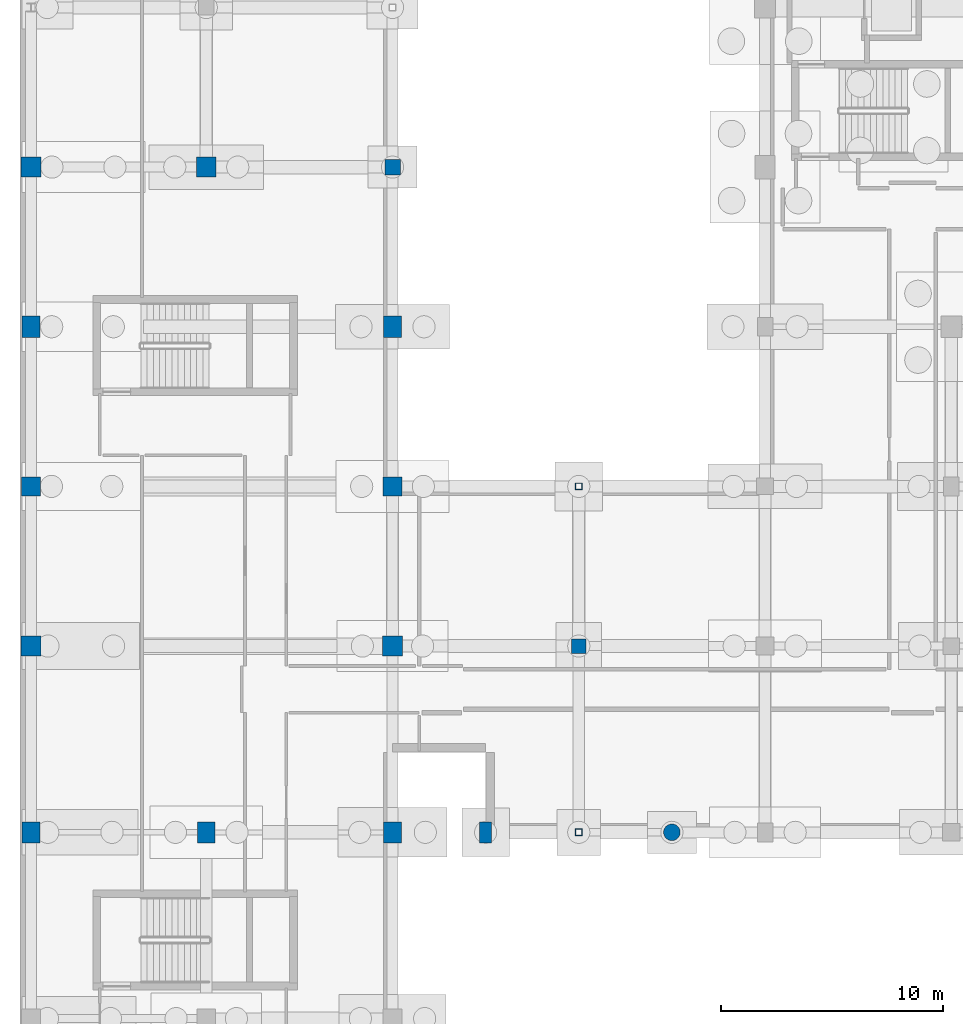
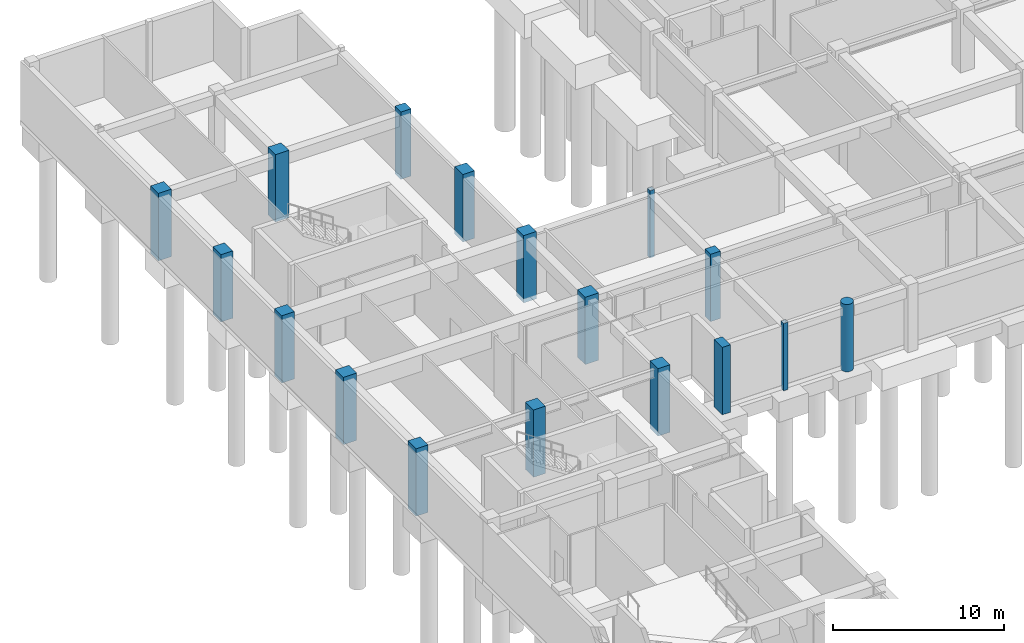
# One storey, part 12 of 42: 17 columns.
"""IFC4 building model written with IfcOpenShell, lengths in metres."""

from ifc_helpers import new_model, si_unit, direction, frame, origin, origin_2d, place, context, subcontext, project, spatial, rectangle, hollow_rectangle, circle, extrude, material, material_profile, profile_set, type_object, element, save


model = new_model("IFC4")

# Units and contexts
model_context = context("Model", 3, precision=1e-05, world=origin(), true_north=direction((0.0, 1.0)))
body_context = subcontext(model_context, "Body", "Model", "MODEL_VIEW")
ifc_project = project(units=[si_unit("LENGTHUNIT", "METRE"), si_unit("AREAUNIT", "SQUARE_METRE"), si_unit("VOLUMEUNIT", "CUBIC_METRE"), si_unit("PLANEANGLEUNIT", "RADIAN"), si_unit("MASSUNIT", "GRAM", prefix="KILO")], contexts=[model_context])

# Site, building, storey
site_placement = place(None, origin())
site = spatial("IfcSite", under=ifc_project, at=site_placement, CompositionType="ELEMENT")
building_placement = place(site_placement, origin())
building = spatial("IfcBuilding", under=site, at=building_placement, Name="Quendrovan Civic Courthouse", CompositionType="ELEMENT")
storey_placement = place(building_placement, frame((0.0, 0.0, -4.5)))
storey = spatial("IfcBuildingStorey", under=building, at=storey_placement, Name="B1", CompositionType="ELEMENT", Elevation=-4.5)

# Columns
ifc_material_1 = material(Name="Precast concrete C45/55", Category="concrete")
ifc_material_profile_1 = material_profile(ifc_material_1, circle(Radius=0.375, at=origin_2d()), Name="RC-ARCADE-D750")
ifc_profile_set_1 = profile_set([ifc_material_profile_1], Name="Precast concrete C45/55")
column_type_1 = type_object("IfcColumnType", Name="COL-ARC750", PredefinedType="PILASTER", material=ifc_profile_set_1)
column_1_placement = place(storey_placement, frame((29.39990234375, 64.800048828125, -0.300048828125), z_axis=(0.0, 0.0, 1.0), x_axis=(1.0, 0.0, 0.0)))
element("IfcColumn", 1, at=column_1_placement, inside=storey, type_object=column_type_1, Name="B1 Column PIL-C2", PredefinedType="PILASTER", context=body_context, shape_type="SweptSolid", body=[
    extrude(circle(Radius=0.375, at=origin_2d()), origin(), (0.0, 0.0, 1.0), 4.800048828125),
])
ifc_material_2 = material(Name="Concrete C45/55", Category="concrete")
ifc_material_profile_2 = material_profile(ifc_material_2, rectangle(XDim=0.550048828125, YDim=0.949951171875, at=origin_2d()), Name="RC-PIER-550x950")
ifc_profile_set_2 = profile_set([ifc_material_profile_2], Name="Concrete C45/55")
column_type_2 = type_object("IfcColumnType", Name="COL-PIER950", PredefinedType="PILASTER", material=ifc_profile_set_2)
column_2_placement = place(storey_placement, frame((21.0, 64.800048828125, -0.300048828125), z_axis=(0.0, 0.0, 1.0), x_axis=(1.0, 0.0, 0.0)))
element("IfcColumn", 2, at=column_2_placement, inside=storey, type_object=column_type_2, Name="B1 Column PIL-C1", PredefinedType="PILASTER", context=body_context, shape_type="SweptSolid", body=[
    extrude(rectangle(XDim=0.550048828125, YDim=0.949951171875, at=origin_2d()), origin(), (0.0, 0.0, 1.0), 4.800048828125),
])
ifc_material_profile_3 = material_profile(ifc_material_2, rectangle(XDim=0.800048828125, YDim=0.949951171875, at=origin_2d()), Name="RC-COL-800x950")
ifc_profile_set_3 = profile_set([ifc_material_profile_3], Name="Concrete C45/55")
column_type_3 = type_object("IfcColumnType", Name="COL-RC-800x950", PredefinedType="COLUMN", material=ifc_profile_set_3)
for number, where, z_axis, x_axis, name in (
    (3, (0.5, 64.800048828125, -0.300048828125), (0.0, 0.0, 1.0), (1.0, 0.0, 0.0), "B1 Column 1-J"),
    (4, (0.5, 87.60009765625, -0.300048828125), (0.0, 0.0, 1.0), (1.0, 0.0, 0.0), "B1 Column 1-M"),
    (5, (8.39990234375, 64.800048828125, -0.300048828125), (0.0, 0.0, 1.0), (1.0, 0.0, 0.0), "B1 Column 2-J"),
    (6, (16.800048828125, 64.800048828125, -0.300048828125), (0.0, 0.0, 1.0), (1.0, 0.0, 0.0), "B1 Column 3-J"),
    (7, (16.800048828125, 87.60009765625, -0.300048828125), (0.0, 0.0, 1.0), (1.0, 0.0, 0.0), "B1 Column 3-M"),
):
    element("IfcColumn", number, at=place(storey_placement, frame(where, z_axis=z_axis, x_axis=x_axis)), inside=storey, type_object=column_type_3, Name=name, PredefinedType="COLUMN", context=body_context, shape_type="SweptSolid", body=[
        extrude(rectangle(XDim=0.800048828125, YDim=0.949951171875, at=origin_2d()), origin(), (0.0, 0.0, 1.0), 4.800048828125),
    ])
ifc_material_profile_4 = material_profile(ifc_material_2, rectangle(XDim=0.64990234375, YDim=0.64990234375, at=origin_2d()), Name="RC-COL-650x650")
ifc_profile_set_4 = profile_set([ifc_material_profile_4], Name="Concrete C45/55")
column_type_4 = type_object("IfcColumnType", Name="COL-RC650", PredefinedType="COLUMN", material=ifc_profile_set_4)
column_3_placement = place(storey_placement, frame((25.199951171875, 73.199951171875, -0.300048828125), z_axis=(0.0, 0.0, 1.0), x_axis=(1.0, 0.0, 0.0)))
element("IfcColumn", 8, at=column_3_placement, inside=storey, type_object=column_type_4, Name="B1 Column 4-K", PredefinedType="COLUMN", context=body_context, shape_type="SweptSolid", body=[
    extrude(rectangle(XDim=0.64990234375, YDim=0.64990234375, at=origin_2d()), origin(), (0.0, 0.0, 1.0), 4.800048828125),
])
ifc_material_profile_5 = material_profile(ifc_material_2, rectangle(XDim=0.699951171875, YDim=0.699951171875, at=origin_2d()), Name="RC-COL-700x700")
ifc_profile_set_5 = profile_set([ifc_material_profile_5], Name="Concrete C45/55")
column_type_5 = type_object("IfcColumnType", Name="COL-RC700", PredefinedType="COLUMN", material=ifc_profile_set_5)
column_4_placement = place(storey_placement, frame((16.800048828125, 94.800048828125, -0.300048828125), z_axis=(0.0, 0.0, 1.0), x_axis=(1.0, 0.0, 0.0)))
element("IfcColumn", 9, at=column_4_placement, inside=storey, type_object=column_type_5, Name="B1 Column 3-N", PredefinedType="COLUMN", context=body_context, shape_type="SweptSolid", body=[
    extrude(rectangle(XDim=0.699951171875, YDim=0.699951171875, at=origin_2d()), origin(), (0.0, 0.0, 1.0), 4.800048828125),
])
ifc_material_profile_6 = material_profile(ifc_material_2, rectangle(XDim=0.85009765625, YDim=0.85009765625, at=origin_2d()), Name="RC-COL-850x850")
ifc_profile_set_6 = profile_set([ifc_material_profile_6], Name="Concrete C45/55")
column_type_6 = type_object("IfcColumnType", Name="COL-RC850", PredefinedType="COLUMN", material=ifc_profile_set_6)
for number, where, z_axis, x_axis, name in (
    (10, (0.5, 80.39990234375, -0.300048828125), (0.0, 0.0, 1.0), (1.0, 0.0, 0.0), "B1 Column 1-L"),
    (11, (16.800048828125, 80.39990234375, -0.300048828125), (0.0, 0.0, 1.0), (1.0, 0.0, 0.0), "B1 Column 3-L"),
):
    element("IfcColumn", number, at=place(storey_placement, frame(where, z_axis=z_axis, x_axis=x_axis)), inside=storey, type_object=column_type_6, Name=name, PredefinedType="COLUMN", context=body_context, shape_type="SweptSolid", body=[
        extrude(rectangle(XDim=0.85009765625, YDim=0.85009765625, at=origin_2d()), origin(), (0.0, 0.0, 1.0), 4.800048828125),
    ])
ifc_material_profile_7 = material_profile(ifc_material_2, rectangle(XDim=0.89990234375, YDim=0.89990234375, at=origin_2d()), Name="RC-COL-900x900")
ifc_profile_set_7 = profile_set([ifc_material_profile_7], Name="Concrete C45/55")
column_type_7 = type_object("IfcColumnType", Name="COL-RC900", PredefinedType="COLUMN", material=ifc_profile_set_7)
for number, where, z_axis, x_axis, name in (
    (12, (0.5, 73.199951171875, -0.300048828125), (0.0, 0.0, 1.0), (1.0, 0.0, 0.0), "B1 Column 1-K"),
    (13, (0.5, 94.800048828125, -0.300048828125), (0.0, 0.0, 1.0), (1.0, 0.0, 0.0), "B1 Column 1-N"),
    (14, (8.39990234375, 94.800048828125, -0.300048828125), (0.0, 0.0, 1.0), (1.0, 0.0, 0.0), "B1 Column 2-N"),
    (15, (16.800048828125, 73.199951171875, -0.300048828125), (0.0, 0.0, 1.0), (1.0, 0.0, 0.0), "B1 Column 3-K"),
):
    element("IfcColumn", number, at=place(storey_placement, frame(where, z_axis=z_axis, x_axis=x_axis)), inside=storey, type_object=column_type_7, Name=name, PredefinedType="COLUMN", context=body_context, shape_type="SweptSolid", body=[
        extrude(rectangle(XDim=0.89990234375, YDim=0.89990234375, at=origin_2d()), origin(), (0.0, 0.0, 1.0), 4.800048828125),
    ])
ifc_material_3 = material(Name="Steel ASTM A500 Grade C", Category="steel")
ifc_material_profile_8 = material_profile(ifc_material_3, hollow_rectangle(XDim=0.300048828125, YDim=0.300048828125, WallThickness=0.011962890625, at=origin_2d()), Name="HSS300x300x12")
ifc_profile_set_8 = profile_set([ifc_material_profile_8], Name="Steel ASTM A500 Grade C")
column_type_8 = type_object("IfcColumnType", Name="COL-STL-HSS300S", PredefinedType="COLUMN", material=ifc_profile_set_8)
for number, where, z_axis, x_axis, name in (
    (16, (25.199951171875, 64.800048828125, -0.300048828125), (0.0, 0.0, 1.0), (1.0, 0.0, 0.0), "B1 Column 4-J"),
    (17, (25.199951171875, 80.39990234375, -0.300048828125), (0.0, 0.0, 1.0), (1.0, 0.0, 0.0), "B1 Column 4-L"),
):
    element("IfcColumn", number, at=place(storey_placement, frame(where, z_axis=z_axis, x_axis=x_axis)), inside=storey, type_object=column_type_8, Name=name, PredefinedType="COLUMN", context=body_context, shape_type="SweptSolid", body=[
        extrude(hollow_rectangle(XDim=0.300048828125, YDim=0.300048828125, WallThickness=0.011962890625, at=origin_2d()), origin(), (0.0, 0.0, 1.0), 4.800048828125),
    ])

save(model, "model.ifc")
